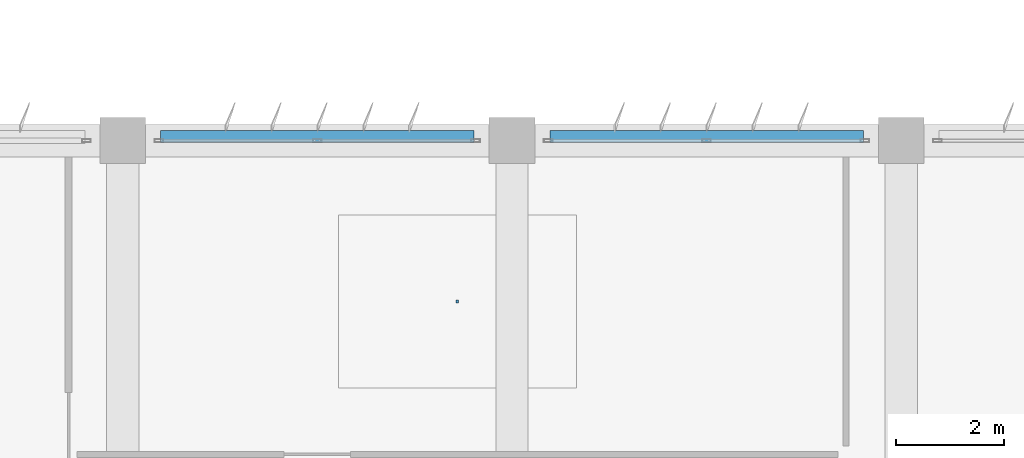
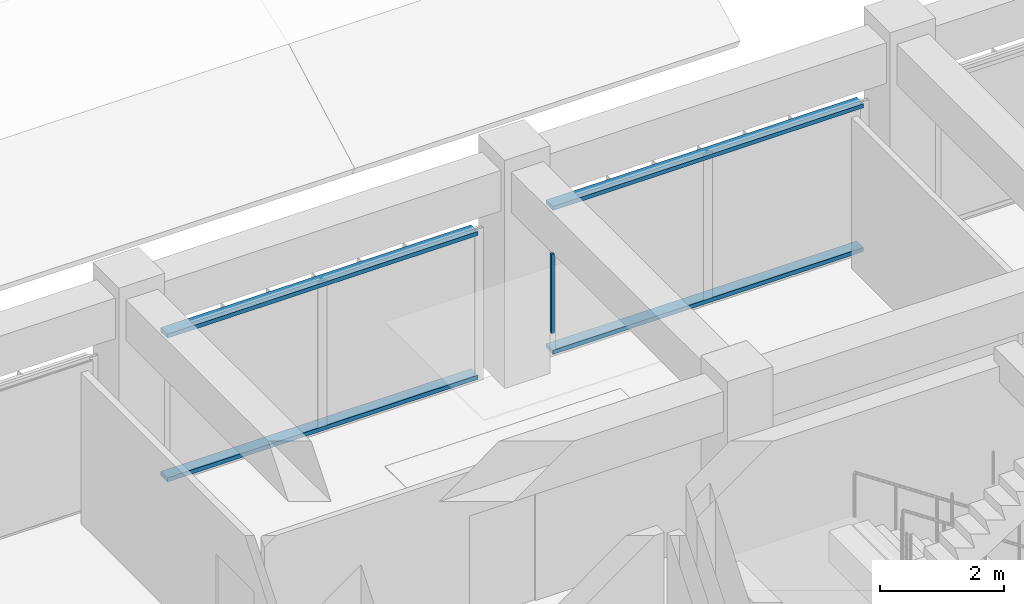
# One storey, part 45 of 56: 5 discrete accessories.
"""IFC4 building model written with IfcOpenShell, lengths in metres."""

import ifcopenshell
import ifcopenshell.guid

model = None  # the IFC model being written
_history = None  # IfcOwnerHistory: only IFC2X3 demands one
_inside = {}  # id of a spatial element -> (the spatial element, [elements in it])
_under = {}  # id of a project, library or spatial element -> (it, [spatial elements below it])
_declared = {}  # id of a project -> (the project, [libraries it declares])
_typed = {}  # id of a type object -> (the type object, [elements of that type])
_made_of = {}  # id of a material, layer set ... -> (it, [elements and type objects made of it])


def new_model(schema):
    """Start an empty IFC model of exactly this schema.

    Asked for "IFC4X3", IfcOpenShell would pick the latest addendum, in which some entities
    have other attributes; the version numbers below select the first issue.
    IFC2X3 requires an IfcOwnerHistory on every rooted entity: one is made here for all.
    """
    global model, _history
    if schema == "IFC4X3":
        model = ifcopenshell.file(schema_version=(4, 3, 0, 0))
    else:
        model = ifcopenshell.file(schema=schema)
    _inside.clear()
    _under.clear()
    _declared.clear()
    _typed.clear()
    _made_of.clear()
    _history = None
    if model.schema == "IFC2X3":
        org = make("IfcOrganization", Name="unknown")
        user = make(
            "IfcPersonAndOrganization",
            ThePerson=make("IfcPerson", FamilyName="unknown"),
            TheOrganization=org,
        )
        app = make(
            "IfcApplication",
            ApplicationDeveloper=org,
            Version="unknown",
            ApplicationFullName="unknown",
            ApplicationIdentifier="unknown",
        )
        _history = make(
            "IfcOwnerHistory",
            OwningUser=user,
            OwningApplication=app,
            ChangeAction="ADDED",
            CreationDate=0,
        )
    return model


def make(cls, **values):
    """One entity of the class cls with the attributes given. An attribute that is None is left unset."""
    return model.create_entity(
        cls, **{name: value for name, value in values.items() if value is not None}
    )


def rooted(cls, **values):
    """An entity with a GlobalId (a new one), such as an element, a storey or a relation."""
    return make(cls, GlobalId=ifcopenshell.guid.new(), OwnerHistory=_history, **values)


def si_unit(unit_type, name, prefix=None):
    """IfcSIUnit, for example si_unit("LENGTHUNIT", "METRE", prefix="MILLI")."""
    return make("IfcSIUnit", UnitType=unit_type, Prefix=prefix, Name=name)


def assignment(units):
    """IfcUnitAssignment: the units of a project."""
    return None if units is None else make("IfcUnitAssignment", Units=units)


def point(xyz):
    """IfcCartesianPoint."""
    return None if xyz is None else make("IfcCartesianPoint", Coordinates=xyz)


def direction(xyz):
    """IfcDirection."""
    return None if xyz is None else make("IfcDirection", DirectionRatios=xyz)


def frame(location, z_axis=None, x_axis=None):
    """IfcAxis2Placement3D, a coordinate frame: its origin and axes. An axis left out is left unset."""
    return make(
        "IfcAxis2Placement3D",
        Location=point(location),
        Axis=direction(z_axis),
        RefDirection=direction(x_axis),
    )


def frame_2d(location, x_axis=None):
    """IfcAxis2Placement2D, a coordinate frame in the plane: its origin and x axis."""
    return make(
        "IfcAxis2Placement2D", Location=point(location), RefDirection=direction(x_axis)
    )


def origin():
    """The frame at (0, 0, 0) with its axes left unset."""
    return frame((0.0, 0.0, 0.0))


def origin_2d():
    """The frame at (0, 0) in the plane with its x axis left unset."""
    return frame_2d((0.0, 0.0))


def place(relative_to, where):
    """IfcLocalPlacement: puts the frame where relative to a parent placement (None: the world)."""
    return make(
        "IfcLocalPlacement", PlacementRelTo=relative_to, RelativePlacement=where
    )


def context(
    kind, dimensions, precision=None, world=None, true_north=None, identifier=None
):
    """IfcGeometricRepresentationContext, for example the 3D "Model" context."""
    return make(
        "IfcGeometricRepresentationContext",
        ContextIdentifier=identifier,
        ContextType=kind,
        CoordinateSpaceDimension=dimensions,
        Precision=precision,
        WorldCoordinateSystem=world,
        TrueNorth=true_north,
    )


def subcontext(parent, identifier, kind, view, scale=None):
    """IfcGeometricRepresentationSubContext, for example "Body" below "Model"."""
    return make(
        "IfcGeometricRepresentationSubContext",
        ContextIdentifier=identifier,
        ContextType=kind,
        ParentContext=parent,
        TargetScale=scale,
        TargetView=view,
    )


def project(units=None, contexts=None):
    """IfcProject with its units and contexts."""
    return rooted(
        "IfcProject",
        Name="project",
        RepresentationContexts=contexts,
        UnitsInContext=assignment(units),
    )


def spatial(cls, under=None, at=None, **own):
    """A site, building, storey or space (cls), placed at a placement, below another one or the project."""
    s = rooted(cls, ObjectPlacement=at, **own)
    if under is not None:
        _under.setdefault(under.id(), (under, []))[1].append(s)
    return s


def profile(cls, at=None, kind="AREA", **sizes):
    """A parametric profile (cls). Its sizes go by their IFC names, for example OverallWidth=200.0."""
    return make(cls, ProfileType=kind, Position=at, **sizes)


def rectangle(**sizes):
    """IfcRectangleProfileDef."""
    return profile("IfcRectangleProfileDef", **sizes)


def extrude(swept, where, along, depth):
    """IfcExtrudedAreaSolid: the profile swept, set in the frame where, extruded along a direction by depth."""
    return make(
        "IfcExtrudedAreaSolid",
        SweptArea=swept,
        Position=where,
        ExtrudedDirection=direction(along),
        Depth=depth,
    )


def shape(context_of_items, identifier, shape_type, items):
    """IfcShapeRepresentation: the items that make up one representation, for example the "Body"."""
    return make(
        "IfcShapeRepresentation",
        ContextOfItems=context_of_items,
        RepresentationIdentifier=identifier,
        RepresentationType=shape_type,
        Items=items,
    )


def material(Name=None, Category=None):
    """IfcMaterial."""
    return make("IfcMaterial", Name=Name, Category=Category)


def made_of(thing, what):
    """Note that an element or type object is made of a material, layer set ...; save() writes the relation."""
    if what is not None:
        _made_of.setdefault(what.id(), (what, []))[1].append(thing)
    return thing


def type_object(cls, material=None, **own):
    """A type object (cls), such as IfcWallType, which elements share."""
    return made_of(rooted(cls, **own), material)


def element(
    cls,
    number,
    at=None,
    inside=None,
    cuts=None,
    type_object=None,
    material=None,
    context=None,
    identifier="Body",
    shape_type=None,
    held_by="IfcProductDefinitionShape",
    body=None,
    shapes=None,
    **own,
):
    """One element of the class cls, such as IfcWall. Its Tag is "e" and its number.

    at: its placement. inside: the storey or other place that contains it. cuts: it is an
    opening in that element (IfcRelVoidsElement). A single representation is given by context,
    identifier, shape_type and body (its items); several are given by shapes. held_by: the class
    of the entity that holds the representations. save() writes the other relations.
    """
    e = rooted(cls, Tag="e%d" % number, ObjectPlacement=at, **own)
    if body is not None:
        shapes = [shape(context, identifier, shape_type, body)]
    if shapes is not None:
        e.Representation = make(held_by, Representations=shapes)
    if inside is not None:
        _inside.setdefault(inside.id(), (inside, []))[1].append(e)
    if cuts is not None:
        rooted(
            "IfcRelVoidsElement", RelatingBuildingElement=cuts, RelatedOpeningElement=e
        )
    if type_object is not None:
        _typed.setdefault(type_object.id(), (type_object, []))[1].append(e)
    return made_of(e, material)


def aggregate(whole, parts):
    """IfcRelAggregates: a whole, such as a stair, and the parts it consists of."""
    return rooted("IfcRelAggregates", RelatingObject=whole, RelatedObjects=parts)


def save(model, path):
    """Write the relations noted so far, then the file.

    IfcRelAggregates (storeys below a building ...), IfcRelContainedInSpatialStructure (elements
    in a storey), IfcRelDefinesByType, IfcRelAssociatesMaterial and IfcRelDeclares: one each for
    every whole, place, type object, material and project.
    """
    for whole, parts in _under.values():
        aggregate(whole, parts)
    for where, things in _inside.values():
        rooted(
            "IfcRelContainedInSpatialStructure",
            RelatedElements=things,
            RelatingStructure=where,
        )
    for kind, things in _typed.values():
        rooted("IfcRelDefinesByType", RelatedObjects=things, RelatingType=kind)
    for what, things in _made_of.values():
        rooted("IfcRelAssociatesMaterial", RelatedObjects=things, RelatingMaterial=what)
    for by, libraries in _declared.values():
        rooted("IfcRelDeclares", RelatingContext=by, RelatedDefinitions=libraries)
    model.write(path)


model = new_model("IFC4")

# Units and contexts
model_context = context("Model", 3, precision=1e-05, world=origin(), true_north=direction((0.0, 1.0)))
body_context = subcontext(model_context, "Body", "Model", "MODEL_VIEW")
ifc_project = project(units=[si_unit("LENGTHUNIT", "METRE"), si_unit("AREAUNIT", "SQUARE_METRE"), si_unit("VOLUMEUNIT", "CUBIC_METRE"), si_unit("PLANEANGLEUNIT", "RADIAN"), si_unit("MASSUNIT", "GRAM", prefix="KILO")], contexts=[model_context])

# Site, building, storey
site_placement = place(None, origin())
site = spatial("IfcSite", under=ifc_project, at=site_placement, CompositionType="ELEMENT")
building_placement = place(site_placement, origin())
building = spatial("IfcBuilding", under=site, at=building_placement, Name="Kazehaya Institute of Natural Sciences", CompositionType="ELEMENT")
storey_placement = place(building_placement, frame((0.0, 0.0, 24.300048828125)))
storey = spatial("IfcBuildingStorey", under=building, at=storey_placement, Name="L05", CompositionType="ELEMENT", Elevation=24.300048828125)

# Discrete accessories
ifc_material_1 = material(Name="Aluminium alloy A6063S-T5", Category="aluminium")
discrete_accessory_type_1 = type_object("IfcDiscreteAccessoryType", Name="ACC-BRK-01", PredefinedType="BRACKET", material=ifc_material_1)
for number, where, z_axis, x_axis, name in (
    (1, (101.39990234375, 35.675048828125, 0.039794921875), (0.0, 0.0, 1.0), (1.0, 0.0, 0.0), "L05 fin support outrigger rail 1"),
    (2, (101.39990234375, 35.675048828125, 2.8798828125), (0.0, 0.0, 1.0), (1.0, 0.0, 0.0), "L05 fin support outrigger rail 2"),
    (3, (108.60009765625, 35.675048828125, 0.039794921875), (0.0, 0.0, 1.0), (1.0, 0.0, 0.0), "L05 fin support outrigger rail 1"),
    (4, (108.60009765625, 35.675048828125, 2.8798828125), (0.0, 0.0, 1.0), (1.0, 0.0, 0.0), "L05 fin support outrigger rail 2"),
):
    element("IfcDiscreteAccessory", number, at=place(storey_placement, frame(where, z_axis=z_axis, x_axis=x_axis)), inside=storey, type_object=discrete_accessory_type_1, Name=name, PredefinedType="BRACKET", context=body_context, shape_type="SweptSolid", body=[
        extrude(rectangle(XDim=5.800048828125, YDim=0.219970703125, at=origin_2d()), origin(), (0.0, 0.0, 1.0), 0.080078125),
    ])
ifc_material_2 = material(Name="Structural steel SN490B", Category="steel")
discrete_accessory_type_2 = type_object("IfcDiscreteAccessoryType", Name="ACC-CLG-HGR", PredefinedType="BRACKET", material=ifc_material_2)
discrete_accessory_placement = place(storey_placement, frame((103.989990234375, 32.625, 2.8525390625), z_axis=(0.0, 0.0, 1.0), x_axis=(1.0, 0.0, 0.0)))
element("IfcDiscreteAccessory", 5, at=discrete_accessory_placement, inside=storey, type_object=discrete_accessory_type_2, Name="L05 ceiling suspension hanger 52", PredefinedType="BRACKET", context=body_context, shape_type="SweptSolid", body=[
    extrude(rectangle(XDim=0.050048828125, YDim=0.050048828125, at=origin_2d()), origin(), (0.0, 0.0, 1.0), 1.5673828125),
])

save(model, "model.ifc")
